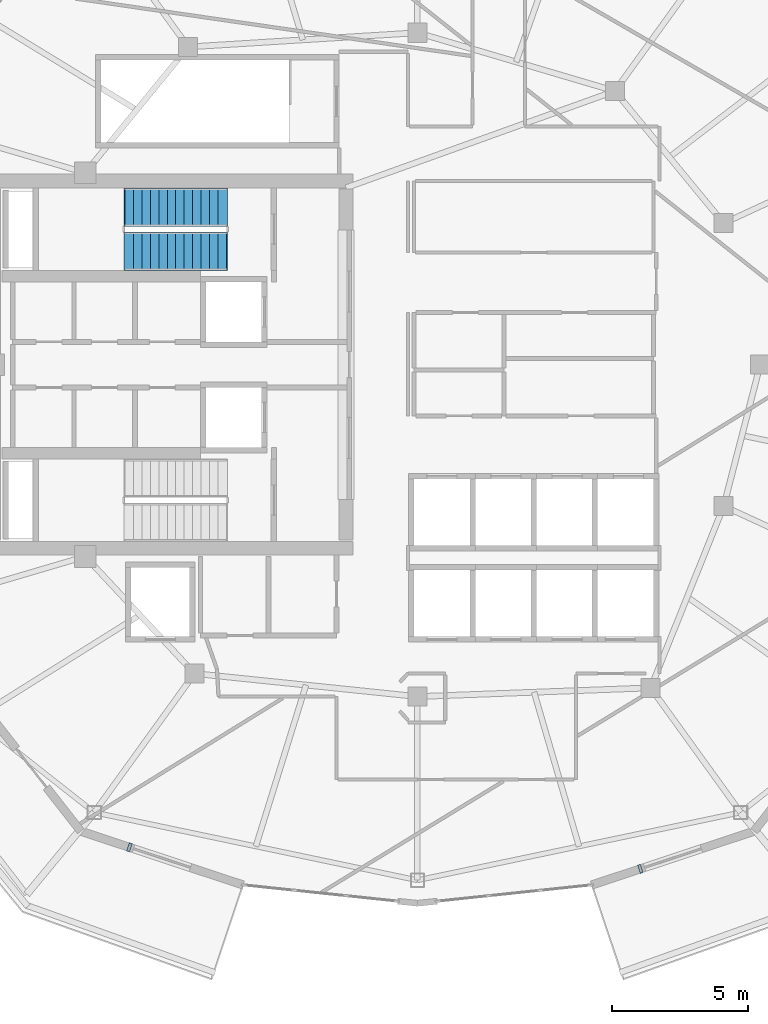
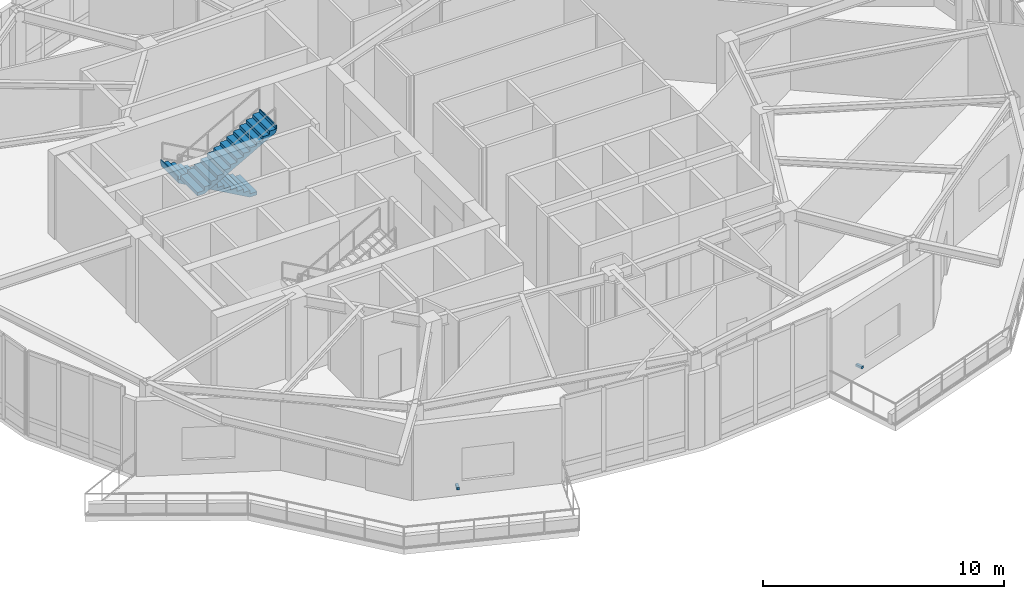
# One storey, part 13 of 15: 2 discrete accessories, 2 stair flights, 1 element without a shape of its own.
"""IFC4 building model written with IfcOpenShell, lengths in metres."""

from ifc_helpers import new_model, si_unit, direction, frame, origin, origin_2d, place, context, subcontext, project, spatial, polyline, rectangle, outline, extrude, material, type_object, element, aggregate, save


model = new_model("IFC4")

# Units and contexts
model_context = context("Model", 3, precision=1e-05, world=origin(), true_north=direction((0.0, 1.0)))
body_context = subcontext(model_context, "Body", "Model", "MODEL_VIEW")
ifc_project = project(units=[si_unit("LENGTHUNIT", "METRE"), si_unit("AREAUNIT", "SQUARE_METRE"), si_unit("VOLUMEUNIT", "CUBIC_METRE"), si_unit("PLANEANGLEUNIT", "RADIAN"), si_unit("MASSUNIT", "GRAM", prefix="KILO")], contexts=[model_context])

# Site, building, storey
site_placement = place(None, origin())
site = spatial("IfcSite", under=ifc_project, at=site_placement, CompositionType="ELEMENT")
building_placement = place(site_placement, origin())
building = spatial("IfcBuilding", under=site, at=building_placement, Name="Kolvaren Gate Tower and Convention Centre", CompositionType="ELEMENT")
storey_placement = place(building_placement, frame((0.0, 0.0, 191.89990234375)))
storey = spatial("IfcBuildingStorey", under=building, at=storey_placement, Name="L50", CompositionType="ELEMENT", Elevation=191.89990234375)

# Stair, stair flights
ifc_material_1 = material(Name="Concrete C50/60", Category="concrete")
stair_type = type_object("IfcStairType", Name="STR-STAIR-CORE", PredefinedType="HALF_TURN_STAIR", material=ifc_material_1)
stair_placement = place(storey_placement, origin())
stair = element("IfcStair", 1, at=stair_placement, inside=storey, type_object=stair_type, Name="L50 Tower North Exit Stair ST-T1", PredefinedType="HALF_TURN_STAIR")
stair_flight_type = type_object("IfcStairFlightType", Name="STR-SFL-1420", PredefinedType="STRAIGHT", material=ifc_material_1)
stair_flight_1_placement = place(storey_placement, frame((23.10009765625, 32.7900390625, 0.0), z_axis=(0.0, 0.0, 1.0), x_axis=(-1.0, 0.0, 0.0)))
stair_flight_1 = element("IfcStairFlight", 2, at=stair_flight_1_placement, type_object=stair_flight_type, Name="ST-T1 flight 1", NumberOfRisers=13, NumberOfTreads=12, PredefinedType="STRAIGHT", RiserHeight=0.173076923, TreadLength=0.31, context=body_context, shape_type="SweptSolid", body=[
    extrude(outline(polyline([(-0.034912109375, 0.0), (-0.034912109375, 0.173095703125), (0.31005859375, 0.173095703125), (0.31005859375, 0.34619140625), (0.6201171875, 0.34619140625), (0.6201171875, 0.519287109375), (0.929931640625, 0.519287109375), (0.929931640625, 0.6923828125), (1.239990234375, 0.6923828125), (1.239990234375, 0.865478515625), (1.550048828125, 0.865478515625), (1.550048828125, 1.03857421875), (1.860107421875, 1.03857421875), (1.860107421875, 1.21142578125), (2.169921875, 1.21142578125), (2.169921875, 1.384521484375), (2.47998046875, 1.384521484375), (2.47998046875, 1.5576171875), (2.7900390625, 1.5576171875), (2.7900390625, 1.730712890625), (3.10009765625, 1.730712890625), (3.10009765625, 1.90380859375), (3.409912109375, 1.90380859375), (3.409912109375, 2.076904296875), (3.719970703125, 2.076904296875), (3.719970703125, 2.25), (3.764892578125, 2.25), (3.764892578125, 2.090087890625), (3.719970703125, 1.9052734375), (0.3076171875, 0.0), (-0.034912109375, 0.0)])), frame((0.0, 0.7099609375, 0.0), z_axis=(0.0, -1.0, 0.0), x_axis=(1.0, 0.0, 0.0)), (0.0, 0.0, 1.0), 1.419921875),
])
stair_flight_2_placement = place(storey_placement, frame((19.3798828125, 31.169921875, 2.25), z_axis=(0.0, 0.0, 1.0), x_axis=(1.0, 0.0, 0.0)))
stair_flight_2 = element("IfcStairFlight", 3, at=stair_flight_2_placement, type_object=stair_flight_type, Name="ST-T1 flight 2", NumberOfRisers=13, NumberOfTreads=12, PredefinedType="STRAIGHT", RiserHeight=0.173076923, TreadLength=0.31, context=body_context, shape_type="SweptSolid", body=[
    extrude(outline(polyline([(-0.034912109375, 0.0), (-0.034912109375, 0.173095703125), (0.31005859375, 0.173095703125), (0.31005859375, 0.34619140625), (0.6201171875, 0.34619140625), (0.6201171875, 0.519287109375), (0.929931640625, 0.519287109375), (0.929931640625, 0.6923828125), (1.239990234375, 0.6923828125), (1.239990234375, 0.865478515625), (1.550048828125, 0.865478515625), (1.550048828125, 1.03857421875), (1.860107421875, 1.03857421875), (1.860107421875, 1.21142578125), (2.169921875, 1.21142578125), (2.169921875, 1.384521484375), (2.47998046875, 1.384521484375), (2.47998046875, 1.5576171875), (2.7900390625, 1.5576171875), (2.7900390625, 1.730712890625), (3.10009765625, 1.730712890625), (3.10009765625, 1.90380859375), (3.409912109375, 1.90380859375), (3.409912109375, 2.076904296875), (3.719970703125, 2.076904296875), (3.719970703125, 2.25), (3.764892578125, 2.25), (3.764892578125, 2.090087890625), (3.719970703125, 1.9052734375), (0.3076171875, 0.0), (-0.034912109375, 0.0)])), frame((0.0, 0.7099609375, 0.0), z_axis=(0.0, -1.0, 0.0), x_axis=(1.0, 0.0, 0.0)), (0.0, 0.0, 1.0), 1.419921875),
])
aggregate(stair, [stair_flight_1, stair_flight_2])

# Discrete accessories
ifc_material_2 = material(Name="Anodized Architectural Aluminium Alloy 6063-T6", Category="aluminium")
discrete_accessory_type = type_object("IfcDiscreteAccessoryType", Name="ARCH-ACC-BRACKET-120", PredefinedType="BRACKET", material=ifc_material_2)
for number, where, z_axis, x_axis, name in (
    (4, (19.538330078125, 9.260009765625, 0.2900390625), (0.0, 0.0, 1.0), (0.949241728595, -0.314547517385, 0.0), "Ceramic Fin Wall Anchor Bracket FBK-L50-16"),
    (5, (38.319091796875, 8.46728515625, 0.2900390625), (0.0, 0.0, 1.0), (0.949241728595, 0.314547517385, 0.0), "Ceramic Fin Wall Anchor Bracket FBK-L50-19"),
):
    element("IfcDiscreteAccessory", number, at=place(storey_placement, frame(where, z_axis=z_axis, x_axis=x_axis)), inside=storey, type_object=discrete_accessory_type, Name=name, PredefinedType="BRACKET", context=body_context, shape_type="SweptSolid", body=[
        extrude(rectangle(XDim=0.1201171875, YDim=0.320068359375, at=origin_2d()), origin(), (0.0, 0.0, 1.0), 0.1201171875),
    ])

save(model, "model.ifc")
